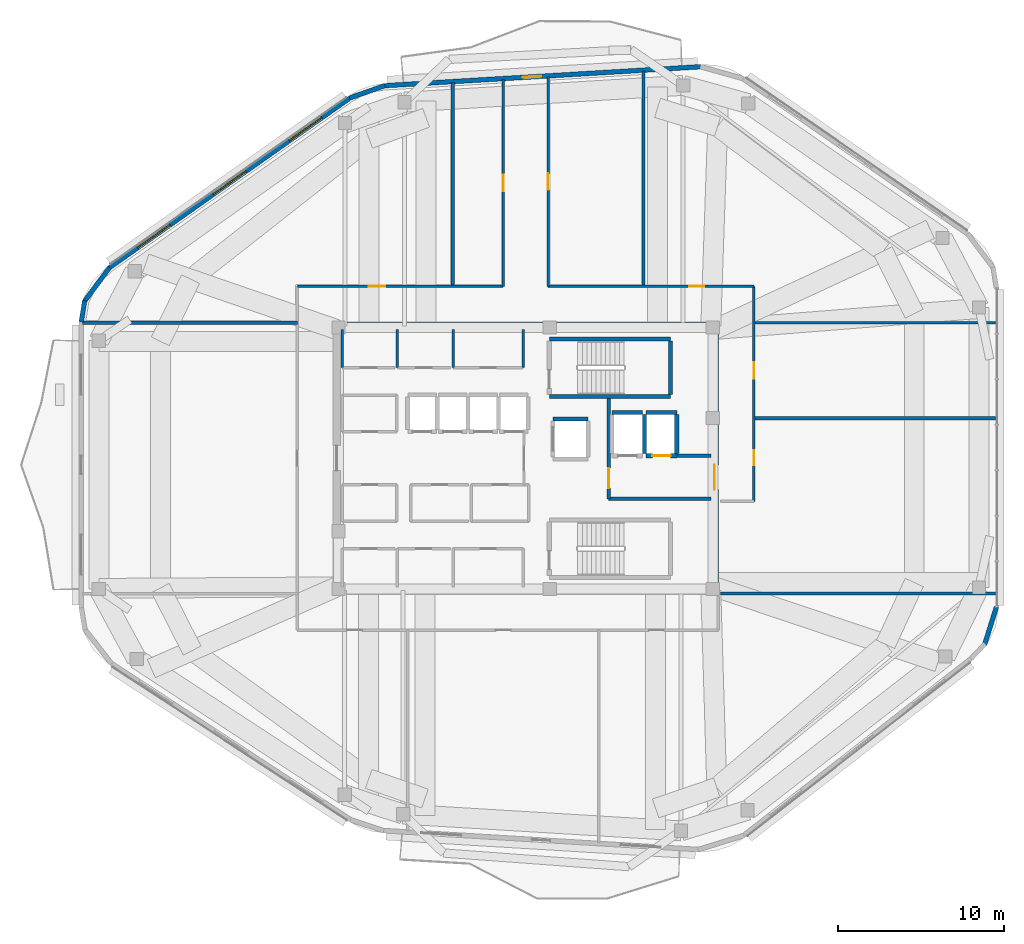
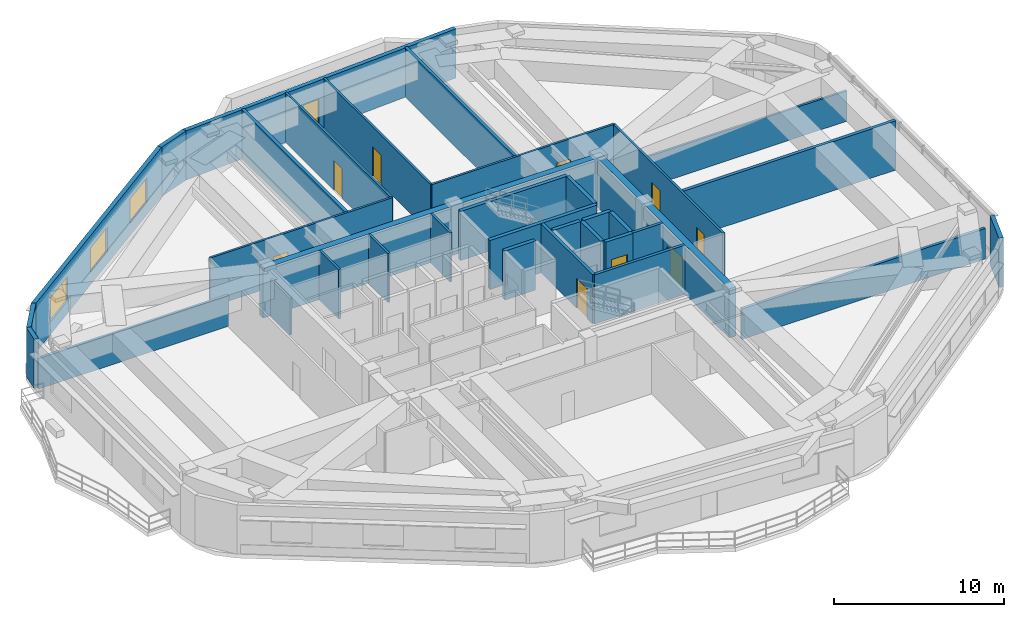
# One storey, part 11 of 15: 35 walls, 10 doors, 3 windows, 13 openings.
"""IFC4 building model written with IfcOpenShell, lengths in metres."""

import ifcopenshell
import ifcopenshell.guid

model = None  # the IFC model being written
_history = None  # IfcOwnerHistory: only IFC2X3 demands one
_inside = {}  # id of a spatial element -> (the spatial element, [elements in it])
_under = {}  # id of a project, library or spatial element -> (it, [spatial elements below it])
_declared = {}  # id of a project -> (the project, [libraries it declares])
_typed = {}  # id of a type object -> (the type object, [elements of that type])
_made_of = {}  # id of a material, layer set ... -> (it, [elements and type objects made of it])


def new_model(schema):
    """Start an empty IFC model of exactly this schema.

    Asked for "IFC4X3", IfcOpenShell would pick the latest addendum, in which some entities
    have other attributes; the version numbers below select the first issue.
    IFC2X3 requires an IfcOwnerHistory on every rooted entity: one is made here for all.
    """
    global model, _history
    if schema == "IFC4X3":
        model = ifcopenshell.file(schema_version=(4, 3, 0, 0))
    else:
        model = ifcopenshell.file(schema=schema)
    _inside.clear()
    _under.clear()
    _declared.clear()
    _typed.clear()
    _made_of.clear()
    _history = None
    if model.schema == "IFC2X3":
        org = make("IfcOrganization", Name="unknown")
        user = make(
            "IfcPersonAndOrganization",
            ThePerson=make("IfcPerson", FamilyName="unknown"),
            TheOrganization=org,
        )
        app = make(
            "IfcApplication",
            ApplicationDeveloper=org,
            Version="unknown",
            ApplicationFullName="unknown",
            ApplicationIdentifier="unknown",
        )
        _history = make(
            "IfcOwnerHistory",
            OwningUser=user,
            OwningApplication=app,
            ChangeAction="ADDED",
            CreationDate=0,
        )
    return model


def make(cls, **values):
    """One entity of the class cls with the attributes given. An attribute that is None is left unset."""
    return model.create_entity(
        cls, **{name: value for name, value in values.items() if value is not None}
    )


def rooted(cls, **values):
    """An entity with a GlobalId (a new one), such as an element, a storey or a relation."""
    return make(cls, GlobalId=ifcopenshell.guid.new(), OwnerHistory=_history, **values)


def si_unit(unit_type, name, prefix=None):
    """IfcSIUnit, for example si_unit("LENGTHUNIT", "METRE", prefix="MILLI")."""
    return make("IfcSIUnit", UnitType=unit_type, Prefix=prefix, Name=name)


def assignment(units):
    """IfcUnitAssignment: the units of a project."""
    return None if units is None else make("IfcUnitAssignment", Units=units)


def point(xyz):
    """IfcCartesianPoint."""
    return None if xyz is None else make("IfcCartesianPoint", Coordinates=xyz)


def direction(xyz):
    """IfcDirection."""
    return None if xyz is None else make("IfcDirection", DirectionRatios=xyz)


def frame(location, z_axis=None, x_axis=None):
    """IfcAxis2Placement3D, a coordinate frame: its origin and axes. An axis left out is left unset."""
    return make(
        "IfcAxis2Placement3D",
        Location=point(location),
        Axis=direction(z_axis),
        RefDirection=direction(x_axis),
    )


def frame_2d(location, x_axis=None):
    """IfcAxis2Placement2D, a coordinate frame in the plane: its origin and x axis."""
    return make(
        "IfcAxis2Placement2D", Location=point(location), RefDirection=direction(x_axis)
    )


def origin():
    """The frame at (0, 0, 0) with its axes left unset."""
    return frame((0.0, 0.0, 0.0))


def place(relative_to, where):
    """IfcLocalPlacement: puts the frame where relative to a parent placement (None: the world)."""
    return make(
        "IfcLocalPlacement", PlacementRelTo=relative_to, RelativePlacement=where
    )


def context(
    kind, dimensions, precision=None, world=None, true_north=None, identifier=None
):
    """IfcGeometricRepresentationContext, for example the 3D "Model" context."""
    return make(
        "IfcGeometricRepresentationContext",
        ContextIdentifier=identifier,
        ContextType=kind,
        CoordinateSpaceDimension=dimensions,
        Precision=precision,
        WorldCoordinateSystem=world,
        TrueNorth=true_north,
    )


def subcontext(parent, identifier, kind, view, scale=None):
    """IfcGeometricRepresentationSubContext, for example "Body" below "Model"."""
    return make(
        "IfcGeometricRepresentationSubContext",
        ContextIdentifier=identifier,
        ContextType=kind,
        ParentContext=parent,
        TargetScale=scale,
        TargetView=view,
    )


def project(units=None, contexts=None):
    """IfcProject with its units and contexts."""
    return rooted(
        "IfcProject",
        Name="project",
        RepresentationContexts=contexts,
        UnitsInContext=assignment(units),
    )


def spatial(cls, under=None, at=None, **own):
    """A site, building, storey or space (cls), placed at a placement, below another one or the project."""
    s = rooted(cls, ObjectPlacement=at, **own)
    if under is not None:
        _under.setdefault(under.id(), (under, []))[1].append(s)
    return s


def profile(cls, at=None, kind="AREA", **sizes):
    """A parametric profile (cls). Its sizes go by their IFC names, for example OverallWidth=200.0."""
    return make(cls, ProfileType=kind, Position=at, **sizes)


def rectangle(**sizes):
    """IfcRectangleProfileDef."""
    return profile("IfcRectangleProfileDef", **sizes)


def extrude(swept, where, along, depth):
    """IfcExtrudedAreaSolid: the profile swept, set in the frame where, extruded along a direction by depth."""
    return make(
        "IfcExtrudedAreaSolid",
        SweptArea=swept,
        Position=where,
        ExtrudedDirection=direction(along),
        Depth=depth,
    )


def shape(context_of_items, identifier, shape_type, items):
    """IfcShapeRepresentation: the items that make up one representation, for example the "Body"."""
    return make(
        "IfcShapeRepresentation",
        ContextOfItems=context_of_items,
        RepresentationIdentifier=identifier,
        RepresentationType=shape_type,
        Items=items,
    )


def material(Name=None, Category=None):
    """IfcMaterial."""
    return make("IfcMaterial", Name=Name, Category=Category)


def layer(
    of_material, thickness, ventilated=None, Name=None, Category=None, Priority=None
):
    """IfcMaterialLayer: one layer of a wall or slab, of a material (None: an air gap)."""
    return make(
        "IfcMaterialLayer",
        Material=of_material,
        LayerThickness=thickness,
        IsVentilated=ventilated,
        Name=Name,
        Category=Category,
        Priority=Priority,
    )


def layer_set(layers, Name=None):
    """IfcMaterialLayerSet."""
    return make("IfcMaterialLayerSet", MaterialLayers=layers, LayerSetName=Name)


def made_of(thing, what):
    """Note that an element or type object is made of a material, layer set ...; save() writes the relation."""
    if what is not None:
        _made_of.setdefault(what.id(), (what, []))[1].append(thing)
    return thing


def type_object(cls, material=None, **own):
    """A type object (cls), such as IfcWallType, which elements share."""
    return made_of(rooted(cls, **own), material)


def element(
    cls,
    number,
    at=None,
    inside=None,
    cuts=None,
    type_object=None,
    material=None,
    context=None,
    identifier="Body",
    shape_type=None,
    held_by="IfcProductDefinitionShape",
    body=None,
    shapes=None,
    **own,
):
    """One element of the class cls, such as IfcWall. Its Tag is "e" and its number.

    at: its placement. inside: the storey or other place that contains it. cuts: it is an
    opening in that element (IfcRelVoidsElement). A single representation is given by context,
    identifier, shape_type and body (its items); several are given by shapes. held_by: the class
    of the entity that holds the representations. save() writes the other relations.
    """
    e = rooted(cls, Tag="e%d" % number, ObjectPlacement=at, **own)
    if body is not None:
        shapes = [shape(context, identifier, shape_type, body)]
    if shapes is not None:
        e.Representation = make(held_by, Representations=shapes)
    if inside is not None:
        _inside.setdefault(inside.id(), (inside, []))[1].append(e)
    if cuts is not None:
        rooted(
            "IfcRelVoidsElement", RelatingBuildingElement=cuts, RelatedOpeningElement=e
        )
    if type_object is not None:
        _typed.setdefault(type_object.id(), (type_object, []))[1].append(e)
    return made_of(e, material)


def fill(opening, filler):
    """IfcRelFillsElement: the door or window that sits in an opening."""
    return rooted(
        "IfcRelFillsElement",
        RelatingOpeningElement=opening,
        RelatedBuildingElement=filler,
    )


def aggregate(whole, parts):
    """IfcRelAggregates: a whole, such as a stair, and the parts it consists of."""
    return rooted("IfcRelAggregates", RelatingObject=whole, RelatedObjects=parts)


def save(model, path):
    """Write the relations noted so far, then the file.

    IfcRelAggregates (storeys below a building ...), IfcRelContainedInSpatialStructure (elements
    in a storey), IfcRelDefinesByType, IfcRelAssociatesMaterial and IfcRelDeclares: one each for
    every whole, place, type object, material and project.
    """
    for whole, parts in _under.values():
        aggregate(whole, parts)
    for where, things in _inside.values():
        rooted(
            "IfcRelContainedInSpatialStructure",
            RelatedElements=things,
            RelatingStructure=where,
        )
    for kind, things in _typed.values():
        rooted("IfcRelDefinesByType", RelatedObjects=things, RelatingType=kind)
    for what, things in _made_of.values():
        rooted("IfcRelAssociatesMaterial", RelatedObjects=things, RelatingMaterial=what)
    for by, libraries in _declared.values():
        rooted("IfcRelDeclares", RelatingContext=by, RelatedDefinitions=libraries)
    model.write(path)


model = new_model("IFC4")

# Units and contexts
model_context = context("Model", 3, precision=1e-05, world=origin(), true_north=direction((0.0, 1.0)))
body_context = subcontext(model_context, "Body", "Model", "MODEL_VIEW")
ifc_project = project(units=[si_unit("LENGTHUNIT", "METRE"), si_unit("AREAUNIT", "SQUARE_METRE"), si_unit("VOLUMEUNIT", "CUBIC_METRE"), si_unit("PLANEANGLEUNIT", "RADIAN"), si_unit("MASSUNIT", "GRAM", prefix="KILO")], contexts=[model_context])

# Site, building, storey
site_placement = place(None, origin())
site = spatial("IfcSite", under=ifc_project, at=site_placement, CompositionType="ELEMENT")
building_placement = place(site_placement, origin())
building = spatial("IfcBuilding", under=site, at=building_placement, Name="Zulverin Broadcast Headquarters", CompositionType="ELEMENT")
storey_placement = place(building_placement, frame((0.0, 0.0, 270.60009765625)))
storey = spatial("IfcBuildingStorey", under=building, at=storey_placement, Name="L69", CompositionType="ELEMENT", Elevation=270.60009765625)

# Walls
ifc_material_1 = material(Name="Acoustic drywall steel stud", Category="steel")
ifc_layer_1 = layer(ifc_material_1, 0.199951171875, Name="Acoustic drywall steel stud", Category="steel")
ifc_layer_set_1 = layer_set([ifc_layer_1], Name="Acoustic drywall steel stud")
wall_type_1 = type_object("IfcWallType", Name="WL-ACOU-200", PredefinedType="PARTITIONING", material=ifc_layer_set_1)
wall_1_placement = place(storey_placement, frame((44.10009765625, 35.550048828125, 0.0), z_axis=(0.0, 0.0, 1.0), x_axis=(0.0, 1.0, 0.0)))
element("IfcWall", 1, at=wall_1_placement, inside=storey, type_object=wall_type_1, Name="L69 Room Partition Wall RP-03", PredefinedType="PARTITIONING", context=body_context, shape_type="SweptSolid", body=[
    extrude(rectangle(XDim=12.95263671875, YDim=0.199951171875, at=frame_2d((6.476318359375, 0.0))), origin(), (0.0, 0.0, 1.0), 3.539794921875),
])
wall_2_placement = place(storey_placement, frame((48.739990234375, 17.050048828125, 0.0), z_axis=(0.0, 0.0, 1.0), x_axis=(1.0, 0.0, 0.0)))
element("IfcWall", 2, at=wall_2_placement, inside=storey, type_object=wall_type_1, Name="L69 Room Partition Wall RP-12", PredefinedType="PARTITIONING", context=body_context, shape_type="SweptSolid", body=[
    extrude(rectangle(XDim=16.554931640625, YDim=0.199951171875, at=frame_2d((8.27734375, 0.0))), origin(), (0.0, 0.0, 1.0), 2.18994140625),
])
wall_3_placement = place(storey_placement, frame((10.304931640625, 33.35009765625, 0.0), z_axis=(0.0, 0.0, 1.0), x_axis=(1.0, 0.0, 0.0)))
element("IfcWall", 3, at=wall_3_placement, inside=storey, type_object=wall_type_1, Name="L69 Room Partition Wall RP-15", PredefinedType="PARTITIONING", context=body_context, shape_type="SweptSolid", body=[
    extrude(rectangle(XDim=12.945068359375, YDim=0.199951171875, at=frame_2d((6.47265625, 0.0))), origin(), (0.0, 0.0, 1.0), 2.18994140625),
])
ifc_material_2 = material(Name="Double-stud acoustic drywall", Category="gypsum")
ifc_layer_2 = layer(ifc_material_2, 0.219970703125, Name="Double-stud acoustic drywall", Category="gypsum")
ifc_layer_set_2 = layer_set([ifc_layer_2], Name="Double-stud acoustic drywall")
wall_type_2 = type_object("IfcWallType", Name="WL-ACOU-220", PredefinedType="PARTITIONING", material=ifc_layer_set_2)
wall_4_placement = place(storey_placement, frame((32.60009765625, 35.550048828125, 0.0), z_axis=(0.0, 0.0, 1.0), x_axis=(0.0, 1.0, 0.0)))
element("IfcWall", 4, at=wall_4_placement, inside=storey, type_object=wall_type_2, Name="L69 Room Partition Wall RP-07", PredefinedType="PARTITIONING", context=body_context, shape_type="SweptSolid", body=[
    extrude(rectangle(XDim=12.26220703125, YDim=0.219970703125, at=frame_2d((6.131103515625, 0.0))), origin(), (0.0, 0.0, 1.0), 3.539794921875),
])
wall_5_placement = place(storey_placement, frame((50.7509765625, 27.60009765625, 0.0), z_axis=(0.0, 0.0, 1.0), x_axis=(1.0, 0.0, 0.0)))
element("IfcWall", 5, at=wall_5_placement, inside=storey, type_object=wall_type_2, Name="L69 Room Partition Wall RP-14", PredefinedType="PARTITIONING", context=body_context, shape_type="SweptSolid", body=[
    extrude(rectangle(XDim=14.5439453125, YDim=0.219970703125, at=frame_2d((7.27197265625, 0.0))), origin(), (0.0, 0.0, 1.0), 3.539794921875),
])
ifc_material_3 = material(Name="Concrete C50/60", Category="concrete")
ifc_layer_3 = layer(ifc_material_3, 0.449951171875, Name="Concrete C50/60", Category="concrete")
ifc_layer_set_3 = layer_set([ifc_layer_3], Name="Concrete C50/60")
wall_type_3 = type_object("IfcWallType", Name="WL-CORE-450", PredefinedType="SHEAR", material=ifc_layer_set_3)
wall_6_placement = place(storey_placement, frame((25.39990234375, 33.175048828125, 0.0), z_axis=(0.0, 0.0, 1.0), x_axis=(1.0, 0.0, 0.0)))
element("IfcWall", 6, at=wall_6_placement, inside=storey, type_object=wall_type_3, Name="L69 Core North Shear Wall", PredefinedType="SHEAR", context=body_context, shape_type="SweptSolid", body=[
    extrude(rectangle(XDim=23.2001953125, YDim=0.449951171875, at=frame_2d((11.60009765625, 0.0))), origin(), (0.0, 0.0, 1.0), 3.539794921875),
])

# Wall, opening, door
wall_7_placement = place(storey_placement, frame((48.375, 17.449951171875, 0.0), z_axis=(0.0, 0.0, 1.0), x_axis=(0.0, 1.0, 0.0)))
wall_7 = element("IfcWall", 7, at=wall_7_placement, inside=storey, type_object=wall_type_3, Name="L69 Core East Shear Wall", PredefinedType="SHEAR", context=body_context, shape_type="SweptSolid", body=[
    extrude(rectangle(XDim=15.5, YDim=0.449951171875, at=frame_2d((7.75, 0.0))), origin(), (0.0, 0.0, 1.0), 3.539794921875),
])
opening_1_placement = place(wall_7_placement, frame((5.85009765625, 0.0, 0.0)))
opening_1 = element("IfcOpeningElement", 8, at=opening_1_placement, cuts=wall_7, Name="Opening D-L69-CE1", PredefinedType="OPENING", context=body_context, shape_type="SweptSolid", body=[
    extrude(rectangle(XDim=1.5, YDim=2.14990234375, at=frame_2d((0.75, 1.074951171875))), frame((0.0, 0.23486328125, 0.0), z_axis=(0.0, -1.0, 0.0), x_axis=(1.0, 0.0, 0.0)), (0.0, 0.0, 1.0), 0.469970703125),
])
ifc_material_4 = material(Name="Fire-rated glazed steel frame", Category="steel")
door_type_1 = type_object("IfcDoorType", Name="DR-COR-1500", OperationType="DOUBLE_DOOR_SINGLE_SWING", PredefinedType="DOOR", material=ifc_material_4)
door_1_placement = place(opening_1_placement, origin())
door_1 = element("IfcDoor", 9, at=door_1_placement, inside=storey, type_object=door_type_1, Name="L69 Firefighting Lobby East Corridor Door", OperationType="DOUBLE_DOOR_SINGLE_SWING", OverallHeight=2.14990234375, OverallWidth=1.5, PredefinedType="DOOR", context=body_context, shape_type="SweptSolid", body=[
    extrude(rectangle(XDim=1.5, YDim=2.14990234375, at=frame_2d((0.75, 1.074951171875))), frame((0.0, 0.02490234375, 0.0), z_axis=(0.0, -1.0, 0.0), x_axis=(1.0, 0.0, 0.0)), (0.0, 0.0, 1.0), 0.050048828125),
])
fill(opening_1, door_1)

ifc_material_5 = material(Name="Insulated pale-metal clad concrete spandrel C40/50", Category="concrete")
ifc_layer_4 = layer(ifc_material_5, 0.280029296875, Name="Insulated pale-metal clad concrete spandrel C40/50", Category="concrete")
ifc_layer_set_4 = layer_set([ifc_layer_4], Name="Insulated pale-metal clad concrete spandrel C40/50")
wall_type_4 = type_object("IfcWallType", Name="WL-EXT-280", PredefinedType="STANDARD", material=ifc_layer_set_4)
wall_8_placement = place(storey_placement, frame((47.56591796875, 48.775390625, 0.0), z_axis=(0.0, 0.0, 1.0), x_axis=(-0.998202767485, -0.059926913695, 0.0)))
wall_8 = element("IfcWall", 10, at=wall_8_placement, inside=storey, type_object=wall_type_4, Name="L69 Pale-Metal Clad Spandrel Wall 5", PredefinedType="STANDARD", context=body_context, shape_type="SweptSolid", body=[
    extrude(rectangle(XDim=19.111083984375, YDim=0.280029296875, at=frame_2d((9.5556640625, 0.0))), origin(), (0.0, 0.0, 1.0), 3.539794921875),
])
opening_2_placement = place(wall_8_placement, frame((9.655517578125, 0.0, 0.0)))
opening_2 = element("IfcOpeningElement", 11, at=opening_2_placement, cuts=wall_8, Name="Opening D-L69-TR5", PredefinedType="OPENING", context=body_context, shape_type="SweptSolid", body=[
    extrude(rectangle(XDim=1.10009765625, YDim=2.199951171875, at=frame_2d((0.550048828125, 1.10009765625))), frame((0.0, 0.14990234375, 0.0), z_axis=(0.0, -1.0, 0.0), x_axis=(1.0, 0.0, 0.0)), (0.0, 0.0, 1.0), 0.300048828125),
])
ifc_material_6 = material(Name="Thermally broken aluminium glazed", Category="aluminium")
door_type_2 = type_object("IfcDoorType", Name="DR-TERR-1100", OperationType="SINGLE_SWING_RIGHT", PredefinedType="DOOR", material=ifc_material_6)
door_2_placement = place(opening_2_placement, origin())
door_2 = element("IfcDoor", 12, at=door_2_placement, inside=storey, type_object=door_type_2, Name="L69 Planted Terrace Glazed Access Door 5", OperationType="SINGLE_SWING_RIGHT", OverallHeight=2.199951171875, OverallWidth=1.10009765625, PredefinedType="DOOR", context=body_context, shape_type="SweptSolid", body=[
    extrude(rectangle(XDim=1.10009765625, YDim=2.199951171875, at=frame_2d((0.550048828125, 1.10009765625))), frame((0.0, 0.02490234375, 0.0), z_axis=(0.0, -1.0, 0.0), x_axis=(1.0, 0.0, 0.0)), (0.0, 0.0, 1.0), 0.050048828125),
])
fill(opening_2, door_2)

# Wall, openings, windows
wall_9_placement = place(storey_placement, frame((26.443115234375, 46.91259765625, 0.0), z_axis=(0.0, 0.0, 1.0), x_axis=(-0.817024179766, -0.576603407619, 0.0)))
wall_9 = element("IfcWall", 13, at=wall_9_placement, inside=storey, type_object=wall_type_4, Name="L69 Pale-Metal Clad Spandrel Wall 6", PredefinedType="STANDARD", context=body_context, shape_type="SweptSolid", body=[
    extrude(rectangle(XDim=17.77978515625, YDim=0.280029296875, at=frame_2d((8.889892578125, 0.0))), origin(), (0.0, 0.0, 1.0), 3.539794921875),
])
opening_3_placement = place(wall_9_placement, frame((2.0966796875, 0.0, 0.89990234375)))
opening_3 = element("IfcOpeningElement", 14, at=opening_3_placement, cuts=wall_9, Name="Opening W-L69-E61", PredefinedType="OPENING", context=body_context, shape_type="SweptSolid", body=[
    extrude(rectangle(XDim=2.39990234375, YDim=1.75, at=frame_2d((1.199951171875, 0.875))), frame((0.0, 0.14990234375, 0.0), z_axis=(0.0, -1.0, 0.0), x_axis=(1.0, 0.0, 0.0)), (0.0, 0.0, 1.0), 0.300048828125),
])
opening_4_placement = place(wall_9_placement, frame((7.68994140625, 0.0, 0.89990234375)))
opening_4 = element("IfcOpeningElement", 15, at=opening_4_placement, cuts=wall_9, Name="Opening W-L69-E62", PredefinedType="OPENING", context=body_context, shape_type="SweptSolid", body=[
    extrude(rectangle(XDim=2.39990234375, YDim=1.75, at=frame_2d((1.199951171875, 0.875))), frame((0.0, 0.14990234375, 0.0), z_axis=(0.0, -1.0, 0.0), x_axis=(1.0, 0.0, 0.0)), (0.0, 0.0, 1.0), 0.300048828125),
])
opening_5_placement = place(wall_9_placement, frame((13.283203125, 0.0, 0.89990234375)))
opening_5 = element("IfcOpeningElement", 16, at=opening_5_placement, cuts=wall_9, Name="Opening W-L69-E63", PredefinedType="OPENING", context=body_context, shape_type="SweptSolid", body=[
    extrude(rectangle(XDim=2.39990234375, YDim=1.75, at=frame_2d((1.199951171875, 0.875))), frame((0.0, 0.14990234375, 0.0), z_axis=(0.0, -1.0, 0.0), x_axis=(1.0, 0.0, 0.0)), (0.0, 0.0, 1.0), 0.300048828125),
])
ifc_material_7 = material(Name="Pale anodized aluminium frame with solar-control low-E double glazing", Category="aluminium")
window_type = type_object("IfcWindowType", Name="WIN-RIB-2400", PartitioningType="SINGLE_PANEL", PredefinedType="WINDOW", material=ifc_material_7)
window_1_placement = place(opening_3_placement, origin())
window_1 = element("IfcWindow", 17, at=window_1_placement, inside=storey, type_object=window_type, Name="L69 Ribbon Glazing Window 6 1", OverallHeight=1.75, OverallWidth=2.39990234375, PartitioningType="SINGLE_PANEL", PredefinedType="WINDOW", context=body_context, shape_type="SweptSolid", body=[
    extrude(rectangle(XDim=2.39990234375, YDim=1.75, at=frame_2d((1.199951171875, 0.875))), frame((0.0, 0.030029296875, 0.0), z_axis=(0.0, -1.0, 0.0), x_axis=(1.0, 0.0, 0.0)), (0.0, 0.0, 1.0), 0.06005859375),
])
fill(opening_3, window_1)
window_2_placement = place(opening_4_placement, origin())
window_2 = element("IfcWindow", 18, at=window_2_placement, inside=storey, type_object=window_type, Name="L69 Ribbon Glazing Window 6 2", OverallHeight=1.75, OverallWidth=2.39990234375, PartitioningType="SINGLE_PANEL", PredefinedType="WINDOW", context=body_context, shape_type="SweptSolid", body=[
    extrude(rectangle(XDim=2.39990234375, YDim=1.75, at=frame_2d((1.199951171875, 0.875))), frame((0.0, 0.030029296875, 0.0), z_axis=(0.0, -1.0, 0.0), x_axis=(1.0, 0.0, 0.0)), (0.0, 0.0, 1.0), 0.06005859375),
])
fill(opening_4, window_2)
window_3_placement = place(opening_5_placement, origin())
window_3 = element("IfcWindow", 19, at=window_3_placement, inside=storey, type_object=window_type, Name="L69 Ribbon Glazing Window 6 3", OverallHeight=1.75, OverallWidth=2.39990234375, PartitioningType="SINGLE_PANEL", PredefinedType="WINDOW", context=body_context, shape_type="SweptSolid", body=[
    extrude(rectangle(XDim=2.39990234375, YDim=1.75, at=frame_2d((1.199951171875, 0.875))), frame((0.0, 0.030029296875, 0.0), z_axis=(0.0, -1.0, 0.0), x_axis=(1.0, 0.0, 0.0)), (0.0, 0.0, 1.0), 0.06005859375),
])
fill(opening_5, window_3)

# Walls
wall_10_placement = place(storey_placement, frame((64.635009765625, 13.962158203125, 0.0), z_axis=(0.0, 0.0, 1.0), x_axis=(0.298601492944, 0.954377885542, 0.0)))
element("IfcWall", 20, at=wall_10_placement, inside=storey, type_object=wall_type_4, Name="L69 Wind-Shaped Corner Spandrel Wall 2-2", PredefinedType="STANDARD", context=body_context, shape_type="SweptSolid", body=[
    extrude(rectangle(XDim=2.38427734375, YDim=0.280029296875, at=frame_2d((1.192138671875, 0.0))), origin(), (0.0, 0.0, 1.0), 3.539794921875),
])
wall_11_placement = place(storey_placement, frame((28.527099609375, 47.6376953125, 0.0), z_axis=(0.0, 0.0, 1.0), x_axis=(-0.943686979207, -0.330839667022, 0.0)))
element("IfcWall", 21, at=wall_11_placement, inside=storey, type_object=wall_type_4, Name="L69 Wind-Shaped Corner Spandrel Wall 5-1", PredefinedType="STANDARD", context=body_context, shape_type="SweptSolid", body=[
    extrude(rectangle(XDim=2.244873046875, YDim=0.280029296875, at=frame_2d((1.12255859375, 0.0))), origin(), (0.0, 0.0, 1.0), 3.539794921875),
])
wall_12_placement = place(storey_placement, frame((11.948486328125, 36.69189453125, 0.0), z_axis=(0.0, 0.0, 1.0), x_axis=(-0.595170751493, -0.803599263668, 0.0)))
element("IfcWall", 22, at=wall_12_placement, inside=storey, type_object=wall_type_4, Name="L69 Wind-Shaped Corner Spandrel Wall 6-1", PredefinedType="STANDARD", context=body_context, shape_type="SweptSolid", body=[
    extrude(rectangle(XDim=2.56982421875, YDim=0.280029296875, at=frame_2d((1.284912109375, 0.0))), origin(), (0.0, 0.0, 1.0), 3.539794921875),
])
wall_13_placement = place(storey_placement, frame((10.444580078125, 34.68798828125, 0.0), z_axis=(0.0, 0.0, 1.0), x_axis=(-0.158524605336, -0.987355027081, 0.0)))
element("IfcWall", 23, at=wall_13_placement, inside=storey, type_object=wall_type_4, Name="L69 Wind-Shaped Corner Spandrel Wall 6-2", PredefinedType="STANDARD", context=body_context, shape_type="SweptSolid", body=[
    extrude(rectangle(XDim=1.30126953125, YDim=0.280029296875, at=frame_2d((0.650634765625, 0.0))), origin(), (0.0, 0.0, 1.0), 3.539794921875),
])

# Wall, opening, door
ifc_material_8 = material(Name="Concrete C40/50", Category="concrete")
ifc_layer_5 = layer(ifc_material_8, 0.199951171875, Name="Concrete C40/50", Category="concrete")
ifc_layer_set_5 = layer_set([ifc_layer_5], Name="Concrete C40/50")
wall_type_5 = type_object("IfcWallType", Name="WL-FFL-200", PredefinedType="SOLIDWALL", material=ifc_layer_set_5)
wall_14_placement = place(storey_placement, frame((42.0, 22.75, 0.0), z_axis=(0.0, 0.0, 1.0), x_axis=(0.0, 1.0, 0.0)))
wall_14 = element("IfcWall", 24, at=wall_14_placement, inside=storey, type_object=wall_type_5, Name="L69 Firefighting Lift Lobby West Wall", PredefinedType="SOLIDWALL", context=body_context, shape_type="SweptSolid", body=[
    extrude(rectangle(XDim=6.050048828125, YDim=0.199951171875, at=frame_2d((3.02490234375, 0.0))), origin(), (0.0, 0.0, 1.0), 3.539794921875),
])
opening_6_placement = place(wall_14_placement, frame((0.64990234375, 0.0, 0.0)))
opening_6 = element("IfcOpeningElement", 25, at=opening_6_placement, cuts=wall_14, Name="Opening D-L69-FFLW", PredefinedType="OPENING", context=body_context, shape_type="SweptSolid", body=[
    extrude(rectangle(XDim=1.199951171875, YDim=2.14990234375, at=frame_2d((0.60009765625, 1.074951171875))), frame((0.0, 0.10986328125, 0.0), z_axis=(0.0, -1.0, 0.0), x_axis=(1.0, 0.0, 0.0)), (0.0, 0.0, 1.0), 0.219970703125),
])
ifc_material_9 = material(Name="Fire-rated steel leaf and frame", Category="steel")
door_type_3 = type_object("IfcDoorType", Name="DR-FFL-1200", OperationType="SINGLE_SWING_RIGHT", PredefinedType="DOOR", material=ifc_material_9)
door_3_placement = place(opening_6_placement, origin())
door_3 = element("IfcDoor", 26, at=door_3_placement, inside=storey, type_object=door_type_3, Name="L69 Firefighting Lift Lobby Door", OperationType="SINGLE_SWING_RIGHT", OverallHeight=2.14990234375, OverallWidth=1.199951171875, PredefinedType="DOOR", context=body_context, shape_type="SweptSolid", body=[
    extrude(rectangle(XDim=1.199951171875, YDim=2.14990234375, at=frame_2d((0.60009765625, 1.074951171875))), frame((0.0, 0.02490234375, 0.0), z_axis=(0.0, -1.0, 0.0), x_axis=(1.0, 0.0, 0.0)), (0.0, 0.0, 1.0), 0.050048828125),
])
fill(opening_6, door_3)

# Walls
wall_15_placement = place(storey_placement, frame((42.0, 22.75, 0.0), z_axis=(0.0, 0.0, 1.0), x_axis=(1.0, 0.0, 0.0)))
element("IfcWall", 27, at=wall_15_placement, inside=storey, type_object=wall_type_5, Name="L69 Firefighting Lift Lobby South Wall", PredefinedType="SOLIDWALL", context=body_context, shape_type="SweptSolid", body=[
    extrude(rectangle(XDim=6.14990234375, YDim=0.199951171875, at=frame_2d((3.074951171875, 0.0))), origin(), (0.0, 0.0, 1.0), 3.539794921875),
])
wall_16_placement = place(storey_placement, frame((46.10009765625, 25.35009765625, 0.0), z_axis=(0.0, 0.0, 1.0), x_axis=(1.0, 0.0, 0.0)))
element("IfcWall", 28, at=wall_16_placement, inside=storey, type_object=wall_type_5, Name="L69 Firefighting Lift Lobby North Wall", PredefinedType="SOLIDWALL", context=body_context, shape_type="SweptSolid", body=[
    extrude(rectangle(XDim=2.0498046875, YDim=0.199951171875, at=frame_2d((1.02490234375, 0.0))), origin(), (0.0, 0.0, 1.0), 3.539794921875),
])
ifc_material_10 = material(Name="Fire-rated gypsum stud partition", Category="gypsum")
ifc_layer_6 = layer(ifc_material_10, 0.14990234375, Name="Fire-rated gypsum stud partition", Category="gypsum")
ifc_layer_set_6 = layer_set([ifc_layer_6], Name="Fire-rated gypsum stud partition")
wall_type_6 = type_object("IfcWallType", Name="WL-PART-150", PredefinedType="PARTITIONING", material=ifc_layer_set_6)
wall_17_placement = place(storey_placement, frame((25.969970703125, 30.64990234375, 0.0), z_axis=(0.0, 0.0, 1.0), x_axis=(0.0, 1.0, 0.0)))
element("IfcWall", 29, at=wall_17_placement, inside=storey, type_object=wall_type_6, Name="L69 Core Male WC West Wall", PredefinedType="PARTITIONING", context=body_context, shape_type="SweptSolid", body=[
    extrude(rectangle(XDim=2.300048828125, YDim=0.14990234375, at=frame_2d((1.14990234375, 0.0))), origin(), (0.0, 0.0, 1.0), 2.639892578125),
])
for number, where, z_axis, x_axis, name in (
    (30, (29.280029296875, 30.64990234375, 0.0), (0.0, 0.0, 1.0), (0.0, 1.0, 0.0), "L69 Core Accessible WC West Wall"),
    (31, (32.6298828125, 30.64990234375, 0.0), (0.0, 0.0, 1.0), (0.0, 1.0, 0.0), "L69 Core Electrical Distribution Riser West Wall"),
    (32, (36.85009765625, 30.64990234375, 0.0), (0.0, 0.0, 1.0), (0.0, 1.0, 0.0), "L69 Core Electrical Distribution Riser East Wall"),
):
    element("IfcWall", number, at=place(storey_placement, frame(where, z_axis=z_axis, x_axis=x_axis)), inside=storey, type_object=wall_type_6, Name=name, PredefinedType="PARTITIONING", context=body_context, shape_type="SweptSolid", body=[
        extrude(rectangle(XDim=2.300048828125, YDim=0.14990234375, at=frame_2d((1.14990234375, 0.0))), origin(), (0.0, 0.0, 1.0), 3.539794921875),
    ])

# Wall, openings, doors
wall_18_placement = place(storey_placement, frame((50.75, 22.60009765625, 0.0), z_axis=(0.0, 0.0, 1.0), x_axis=(0.0, 1.0, 0.0)))
wall_18 = element("IfcWall", 33, at=wall_18_placement, inside=storey, type_object=wall_type_6, Name="L69 Gallery Partition Wall CG-01", PredefinedType="PARTITIONING", context=body_context, shape_type="SweptSolid", body=[
    extrude(rectangle(XDim=12.949951171875, YDim=0.14990234375, at=frame_2d((6.47509765625, 0.0))), origin(), (0.0, 0.0, 1.0), 3.539794921875),
])
opening_7_placement = place(wall_18_placement, frame((2.169921875, 0.0, 0.0)))
opening_7 = element("IfcOpeningElement", 34, at=opening_7_placement, cuts=wall_18, Name="Opening D-L69-09", PredefinedType="OPENING", context=body_context, shape_type="SweptSolid", body=[
    extrude(rectangle(XDim=0.89990234375, YDim=2.10009765625, at=frame_2d((0.449951171875, 1.050048828125))), frame((0.0, 0.0849609375, 0.0), z_axis=(0.0, -1.0, 0.0), x_axis=(1.0, 0.0, 0.0)), (0.0, 0.0, 1.0), 0.169921875),
])
opening_8_placement = place(wall_18_placement, frame((7.375, 0.0, 0.0)))
opening_8 = element("IfcOpeningElement", 35, at=opening_8_placement, cuts=wall_18, Name="Opening D-L69-10", PredefinedType="OPENING", context=body_context, shape_type="SweptSolid", body=[
    extrude(rectangle(XDim=1.0, YDim=2.1201171875, at=frame_2d((0.5, 1.06005859375))), frame((0.0, 0.0849609375, 0.0), z_axis=(0.0, -1.0, 0.0), x_axis=(1.0, 0.0, 0.0)), (0.0, 0.0, 1.0), 0.169921875),
])
ifc_material_11 = material(Name="Hardwood veneer acoustic leaf", Category="wood")
door_type_4 = type_object("IfcDoorType", Name="DR-OFF-1000", OperationType="SINGLE_SWING_LEFT", PredefinedType="DOOR", material=ifc_material_11)
door_4_placement = place(opening_8_placement, origin())
door_4 = element("IfcDoor", 36, at=door_4_placement, inside=storey, type_object=door_type_4, Name="L69 Creative Development Workplace Door", OperationType="SINGLE_SWING_LEFT", OverallHeight=2.1201171875, OverallWidth=1.0, PredefinedType="DOOR", context=body_context, shape_type="SweptSolid", body=[
    extrude(rectangle(XDim=1.0, YDim=2.1201171875, at=frame_2d((0.5, 1.06005859375))), frame((0.0, 0.02490234375, 0.0), z_axis=(0.0, -1.0, 0.0), x_axis=(1.0, 0.0, 0.0)), (0.0, 0.0, 1.0), 0.050048828125),
])
fill(opening_8, door_4)
ifc_material_12 = material(Name="Fire-rated hardwood veneer timber leaf", Category="wood")
door_type_5 = type_object("IfcDoorType", Name="DR-ROOM-900", OperationType="SINGLE_SWING_RIGHT", PredefinedType="DOOR", material=ifc_material_12)
door_5_placement = place(opening_7_placement, origin())
door_5 = element("IfcDoor", 37, at=door_5_placement, inside=storey, type_object=door_type_5, Name="L69 Tea Pantry Door", OperationType="SINGLE_SWING_RIGHT", OverallHeight=2.10009765625, OverallWidth=0.89990234375, PredefinedType="DOOR", context=body_context, shape_type="SweptSolid", body=[
    extrude(rectangle(XDim=0.89990234375, YDim=2.10009765625, at=frame_2d((0.449951171875, 1.050048828125))), frame((0.0, 0.02490234375, 0.0), z_axis=(0.0, -1.0, 0.0), x_axis=(1.0, 0.0, 0.0)), (0.0, 0.0, 1.0), 0.050048828125),
])
fill(opening_7, door_5)

# Wall, opening, door
wall_19_placement = place(storey_placement, frame((38.35009765625, 35.550048828125, 0.0), z_axis=(0.0, 0.0, 1.0), x_axis=(0.0, 1.0, 0.0)))
wall_19 = element("IfcWall", 38, at=wall_19_placement, inside=storey, type_object=wall_type_6, Name="L69 Gallery Partition Wall CG-05", PredefinedType="PARTITIONING", context=body_context, shape_type="SweptSolid", body=[
    extrude(rectangle(XDim=12.607421875, YDim=0.14990234375, at=frame_2d((6.3037109375, 0.0))), origin(), (0.0, 0.0, 1.0), 3.539794921875),
])
opening_9_placement = place(wall_19_placement, frame((5.8037109375, 0.0, 0.0)))
opening_9 = element("IfcOpeningElement", 39, at=opening_9_placement, cuts=wall_19, Name="Opening D-L69-03", PredefinedType="OPENING", context=body_context, shape_type="SweptSolid", body=[
    extrude(rectangle(XDim=1.0, YDim=2.1201171875, at=frame_2d((0.5, 1.06005859375))), frame((0.0, 0.0849609375, 0.0), z_axis=(0.0, -1.0, 0.0), x_axis=(1.0, 0.0, 0.0)), (0.0, 0.0, 1.0), 0.169921875),
])
door_6_placement = place(opening_9_placement, origin())
door_6 = element("IfcDoor", 40, at=door_6_placement, inside=storey, type_object=door_type_4, Name="L69 Casting Office Door", OperationType="SINGLE_SWING_RIGHT", OverallHeight=2.1201171875, OverallWidth=1.0, PredefinedType="DOOR", context=body_context, shape_type="SweptSolid", body=[
    extrude(rectangle(XDim=1.0, YDim=2.1201171875, at=frame_2d((0.5, 1.06005859375))), frame((0.0, 0.02490234375, 0.0), z_axis=(0.0, -1.0, 0.0), x_axis=(1.0, 0.0, 0.0)), (0.0, 0.0, 1.0), 0.050048828125),
])
fill(opening_9, door_6)

wall_20_placement = place(storey_placement, frame((35.64990234375, 35.550048828125, 0.0), z_axis=(0.0, 0.0, 1.0), x_axis=(0.0, 1.0, 0.0)))
wall_20 = element("IfcWall", 41, at=wall_20_placement, inside=storey, type_object=wall_type_6, Name="L69 Gallery Partition Wall CG-06", PredefinedType="PARTITIONING", context=body_context, shape_type="SweptSolid", body=[
    extrude(rectangle(XDim=12.4453125, YDim=0.14990234375, at=frame_2d((6.22265625, 0.0))), origin(), (0.0, 0.0, 1.0), 3.539794921875),
])
opening_10_placement = place(wall_20_placement, frame((5.72265625, 0.0, 0.0)))
opening_10 = element("IfcOpeningElement", 42, at=opening_10_placement, cuts=wall_20, Name="Opening D-L69-02", PredefinedType="OPENING", context=body_context, shape_type="SweptSolid", body=[
    extrude(rectangle(XDim=1.0, YDim=2.1201171875, at=frame_2d((0.5, 1.06005859375))), frame((0.0, 0.0849609375, 0.0), z_axis=(0.0, -1.0, 0.0), x_axis=(1.0, 0.0, 0.0)), (0.0, 0.0, 1.0), 0.169921875),
])
door_7_placement = place(opening_10_placement, origin())
door_7 = element("IfcDoor", 43, at=door_7_placement, inside=storey, type_object=door_type_4, Name="L69 Scriptwriting Office Door", OperationType="SINGLE_SWING_LEFT", OverallHeight=2.1201171875, OverallWidth=1.0, PredefinedType="DOOR", context=body_context, shape_type="SweptSolid", body=[
    extrude(rectangle(XDim=1.0, YDim=2.1201171875, at=frame_2d((0.5, 1.06005859375))), frame((0.0, 0.02490234375, 0.0), z_axis=(0.0, -1.0, 0.0), x_axis=(1.0, 0.0, 0.0)), (0.0, 0.0, 1.0), 0.050048828125),
])
fill(opening_10, door_7)

# Wall
wall_21_placement = place(storey_placement, frame((50.75, 33.35009765625, 0.0), z_axis=(0.0, 0.0, 1.0), x_axis=(1.0, 0.0, 0.0)))
element("IfcWall", 44, at=wall_21_placement, inside=storey, type_object=wall_type_6, Name="L69 Room Partition Wall RP-16", PredefinedType="PARTITIONING", context=body_context, shape_type="SweptSolid", body=[
    extrude(rectangle(XDim=14.544921875, YDim=0.14990234375, at=frame_2d((7.2724609375, 0.0))), origin(), (0.0, 0.0, 1.0), 2.18994140625),
])

# Wall, opening, door
wall_22_placement = place(storey_placement, frame((23.25, 35.550048828125, 0.0), z_axis=(0.0, 0.0, 1.0), x_axis=(1.0, 0.0, 0.0)))
wall_22 = element("IfcWall", 45, at=wall_22_placement, inside=storey, type_object=wall_type_6, Name="L69 Gallery Partition Wall CG-17", PredefinedType="PARTITIONING", context=body_context, shape_type="SweptSolid", body=[
    extrude(rectangle(XDim=12.39990234375, YDim=0.14990234375, at=frame_2d((6.199951171875, 0.0))), origin(), (0.0, 0.0, 1.0), 3.539794921875),
])
opening_11_placement = place(wall_22_placement, frame((4.294921875, 0.0, 0.0)))
opening_11 = element("IfcOpeningElement", 46, at=opening_11_placement, cuts=wall_22, Name="Opening D-L69-01", PredefinedType="OPENING", context=body_context, shape_type="SweptSolid", body=[
    extrude(rectangle(XDim=1.0, YDim=2.1201171875, at=frame_2d((0.5, 1.06005859375))), frame((0.0, 0.0849609375, 0.0), z_axis=(0.0, -1.0, 0.0), x_axis=(1.0, 0.0, 0.0)), (0.0, 0.0, 1.0), 0.169921875),
])
door_8_placement = place(opening_11_placement, origin())
door_8 = element("IfcDoor", 47, at=door_8_placement, inside=storey, type_object=door_type_4, Name="L69 Creative Development Workplace Door", OperationType="SINGLE_SWING_RIGHT", OverallHeight=2.1201171875, OverallWidth=1.0, PredefinedType="DOOR", context=body_context, shape_type="SweptSolid", body=[
    extrude(rectangle(XDim=1.0, YDim=2.1201171875, at=frame_2d((0.5, 1.06005859375))), frame((0.0, 0.02490234375, 0.0), z_axis=(0.0, -1.0, 0.0), x_axis=(1.0, 0.0, 0.0)), (0.0, 0.0, 1.0), 0.050048828125),
])
fill(opening_11, door_8)

wall_23_placement = place(storey_placement, frame((38.35009765625, 35.550048828125, 0.0), z_axis=(0.0, 0.0, 1.0), x_axis=(1.0, 0.0, 0.0)))
wall_23 = element("IfcWall", 48, at=wall_23_placement, inside=storey, type_object=wall_type_6, Name="L69 Gallery Partition Wall CG-18", PredefinedType="PARTITIONING", context=body_context, shape_type="SweptSolid", body=[
    extrude(rectangle(XDim=12.39990234375, YDim=0.14990234375, at=frame_2d((6.199951171875, 0.0))), origin(), (0.0, 0.0, 1.0), 3.539794921875),
])
opening_12_placement = place(wall_23_placement, frame((8.5048828125, 0.0, 0.0)))
opening_12 = element("IfcOpeningElement", 49, at=opening_12_placement, cuts=wall_23, Name="Opening D-L69-04", PredefinedType="OPENING", context=body_context, shape_type="SweptSolid", body=[
    extrude(rectangle(XDim=0.89990234375, YDim=2.10009765625, at=frame_2d((0.449951171875, 1.050048828125))), frame((0.0, 0.0849609375, 0.0), z_axis=(0.0, -1.0, 0.0), x_axis=(1.0, 0.0, 0.0)), (0.0, 0.0, 1.0), 0.169921875),
])
door_9_placement = place(opening_12_placement, origin())
door_9 = element("IfcDoor", 50, at=door_9_placement, inside=storey, type_object=door_type_5, Name="L69 Script Review Room Door", OperationType="SINGLE_SWING_LEFT", OverallHeight=2.10009765625, OverallWidth=0.89990234375, PredefinedType="DOOR", context=body_context, shape_type="SweptSolid", body=[
    extrude(rectangle(XDim=0.89990234375, YDim=2.10009765625, at=frame_2d((0.449951171875, 1.050048828125))), frame((0.0, 0.02490234375, 0.0), z_axis=(0.0, -1.0, 0.0), x_axis=(1.0, 0.0, 0.0)), (0.0, 0.0, 1.0), 0.050048828125),
])
fill(opening_12, door_9)

# Walls
ifc_layer_7 = layer(ifc_material_3, 0.25, Name="Concrete C50/60", Category="concrete")
ifc_layer_set_7 = layer_set([ifc_layer_7], Name="Concrete C50/60")
wall_type_7 = type_object("IfcWallType", Name="WL-SHAFT-250", PredefinedType="SHEAR", material=ifc_layer_set_7)
for number, where, z_axis, x_axis, name in (
    (51, (38.425048828125, 28.925048828125, 0.0), (0.0, 0.0, 1.0), (1.0, 0.0, 0.0), "L69 ST-1 Enclosure Wall S"),
    (52, (38.425048828125, 32.375, 0.0), (0.0, 0.0, 1.0), (1.0, 0.0, 0.0), "L69 ST-1 Enclosure Wall N"),
):
    element("IfcWall", number, at=place(storey_placement, frame(where, z_axis=z_axis, x_axis=x_axis)), inside=storey, type_object=wall_type_7, Name=name, PredefinedType="SHEAR", context=body_context, shape_type="SweptSolid", body=[
        extrude(rectangle(XDim=7.300048828125, YDim=0.25, at=frame_2d((3.64990234375, 0.0))), origin(), (0.0, 0.0, 1.0), 3.539794921875),
    ])
wall_24_placement = place(storey_placement, frame((45.72509765625, 29.050048828125, 0.0), z_axis=(0.0, 0.0, 1.0), x_axis=(0.0, 1.0, 0.0)))
element("IfcWall", 53, at=wall_24_placement, inside=storey, type_object=wall_type_7, Name="L69 ST-1 Enclosure Wall E", PredefinedType="SHEAR", context=body_context, shape_type="SweptSolid", body=[
    extrude(rectangle(XDim=3.199951171875, YDim=0.25, at=frame_2d((1.60009765625, 0.0))), origin(), (0.0, 0.0, 1.0), 3.539794921875),
])
wall_25_placement = place(storey_placement, frame((42.199951171875, 27.949951171875, 0.0), z_axis=(0.0, 0.0, 1.0), x_axis=(1.0, 0.0, 0.0)))
element("IfcWall", 54, at=wall_25_placement, inside=storey, type_object=wall_type_7, Name="L69 Lift FFL-1 Shaft Wall N", PredefinedType="SHEAR", context=body_context, shape_type="SweptSolid", body=[
    extrude(rectangle(XDim=1.85009765625, YDim=0.25, at=frame_2d((0.925048828125, 0.0))), origin(), (0.0, 0.0, 1.0), 3.539794921875),
])
wall_26_placement = place(storey_placement, frame((44.14990234375, 25.469970703125, 0.0), z_axis=(0.0, 0.0, 1.0), x_axis=(0.0, 1.0, 0.0)))
element("IfcWall", 55, at=wall_26_placement, inside=storey, type_object=wall_type_7, Name="L69 Lift FFL-1 Shaft Wall E", PredefinedType="SHEAR", context=body_context, shape_type="SweptSolid", body=[
    extrude(rectangle(XDim=2.360107421875, YDim=0.25, at=frame_2d((1.18017578125, 0.0))), origin(), (0.0, 0.0, 1.0), 3.539794921875),
])

# Wall, opening, door
wall_27_placement = place(storey_placement, frame((44.25, 25.35009765625, 0.0), z_axis=(0.0, 0.0, 1.0), x_axis=(1.0, 0.0, 0.0)))
wall_27 = element("IfcWall", 56, at=wall_27_placement, inside=storey, type_object=wall_type_7, Name="L69 Lift FFL-2 Shaft Wall S", PredefinedType="SHEAR", context=body_context, shape_type="SweptSolid", body=[
    extrude(rectangle(XDim=1.85009765625, YDim=0.25, at=frame_2d((0.925048828125, 0.0))), origin(), (0.0, 0.0, 1.0), 3.539794921875),
])
opening_13_placement = place(wall_27_placement, frame((0.375, 0.0, 0.0)))
opening_13 = element("IfcOpeningElement", 57, at=opening_13_placement, cuts=wall_27, Name="Opening LD-FFL-2-L69", PredefinedType="OPENING", context=body_context, shape_type="SweptSolid", body=[
    extrude(rectangle(XDim=1.10009765625, YDim=2.14990234375, at=frame_2d((0.550048828125, 1.074951171875))), frame((0.0, 0.135009765625, 0.0), z_axis=(0.0, -1.0, 0.0), x_axis=(1.0, 0.0, 0.0)), (0.0, 0.0, 1.0), 0.27001953125),
])
ifc_material_13 = material(Name="Fire-rated stainless landing door", Category="steel")
door_type_6 = type_object("IfcDoorType", Name="LD-FFL-1100", OperationType="DOUBLE_DOOR_SLIDING", PredefinedType="DOOR", material=ifc_material_13)
door_10_placement = place(opening_13_placement, origin())
door_10 = element("IfcDoor", 58, at=door_10_placement, inside=storey, type_object=door_type_6, Name="L69 Lift FFL-2 Sliding Landing Door", OperationType="DOUBLE_DOOR_SLIDING", OverallHeight=2.14990234375, OverallWidth=1.10009765625, PredefinedType="DOOR", context=body_context, shape_type="SweptSolid", body=[
    extrude(rectangle(XDim=1.10009765625, YDim=2.14990234375, at=frame_2d((0.550048828125, 1.074951171875))), frame((0.0, 0.02490234375, 0.0), z_axis=(0.0, -1.0, 0.0), x_axis=(1.0, 0.0, 0.0)), (0.0, 0.0, 1.0), 0.050048828125),
])
fill(opening_13, door_10)

# Walls
wall_28_placement = place(storey_placement, frame((44.25, 27.949951171875, 0.0), z_axis=(0.0, 0.0, 1.0), x_axis=(1.0, 0.0, 0.0)))
element("IfcWall", 59, at=wall_28_placement, inside=storey, type_object=wall_type_7, Name="L69 Lift FFL-2 Shaft Wall N", PredefinedType="SHEAR", context=body_context, shape_type="SweptSolid", body=[
    extrude(rectangle(XDim=1.85009765625, YDim=0.25, at=frame_2d((0.925048828125, 0.0))), origin(), (0.0, 0.0, 1.0), 3.539794921875),
])
wall_29_placement = place(storey_placement, frame((46.10009765625, 25.469970703125, 0.0), z_axis=(0.0, 0.0, 1.0), x_axis=(0.0, 1.0, 0.0)))
element("IfcWall", 60, at=wall_29_placement, inside=storey, type_object=wall_type_7, Name="L69 Lift FFL-2 Shaft Wall E", PredefinedType="SHEAR", context=body_context, shape_type="SweptSolid", body=[
    extrude(rectangle(XDim=2.360107421875, YDim=0.25, at=frame_2d((1.18017578125, 0.0))), origin(), (0.0, 0.0, 1.0), 3.539794921875),
])
wall_30_placement = place(storey_placement, frame((38.64990234375, 27.550048828125, 0.0), z_axis=(0.0, 0.0, 1.0), x_axis=(1.0, 0.0, 0.0)))
element("IfcWall", 61, at=wall_30_placement, inside=storey, type_object=wall_type_7, Name="L69 Lift SVL-1 Shaft Wall N", PredefinedType="SHEAR", context=body_context, shape_type="SweptSolid", body=[
    extrude(rectangle(XDim=2.10009765625, YDim=0.25, at=frame_2d((1.050048828125, 0.0))), origin(), (0.0, 0.0, 1.0), 3.539794921875),
])

save(model, "model.ifc")
